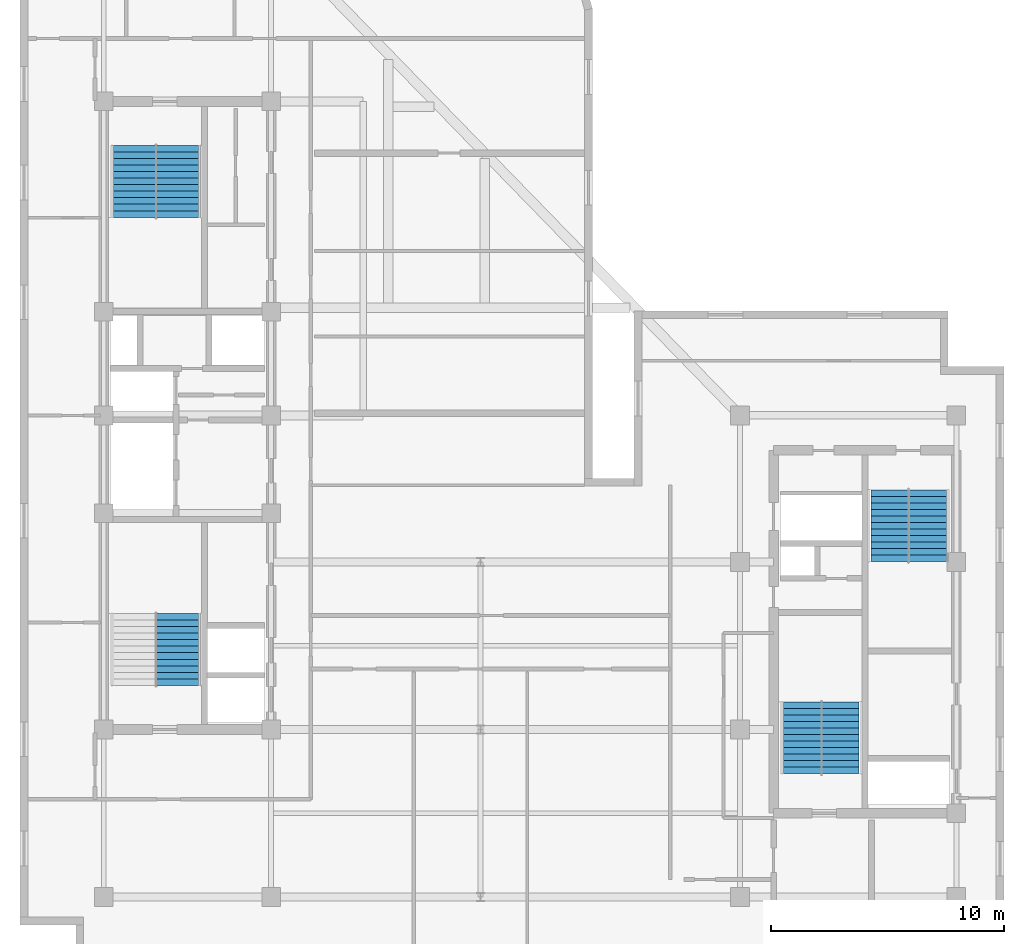
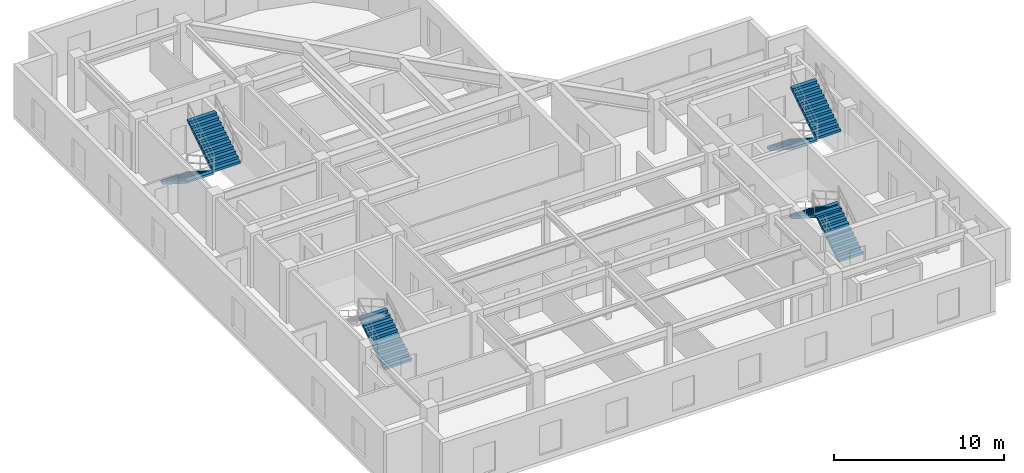
# One storey, part 7 of 10: 7 stair flights, 4 elements without a shape of their own.
"""IFC4 building model written with IfcOpenShell, lengths in metres."""

import ifcopenshell
import ifcopenshell.guid

model = None  # the IFC model being written
_history = None  # IfcOwnerHistory: only IFC2X3 demands one
_inside = {}  # id of a spatial element -> (the spatial element, [elements in it])
_under = {}  # id of a project, library or spatial element -> (it, [spatial elements below it])
_declared = {}  # id of a project -> (the project, [libraries it declares])
_typed = {}  # id of a type object -> (the type object, [elements of that type])
_made_of = {}  # id of a material, layer set ... -> (it, [elements and type objects made of it])


def new_model(schema):
    """Start an empty IFC model of exactly this schema.

    Asked for "IFC4X3", IfcOpenShell would pick the latest addendum, in which some entities
    have other attributes; the version numbers below select the first issue.
    IFC2X3 requires an IfcOwnerHistory on every rooted entity: one is made here for all.
    """
    global model, _history
    if schema == "IFC4X3":
        model = ifcopenshell.file(schema_version=(4, 3, 0, 0))
    else:
        model = ifcopenshell.file(schema=schema)
    _inside.clear()
    _under.clear()
    _declared.clear()
    _typed.clear()
    _made_of.clear()
    _history = None
    if model.schema == "IFC2X3":
        org = make("IfcOrganization", Name="unknown")
        user = make(
            "IfcPersonAndOrganization",
            ThePerson=make("IfcPerson", FamilyName="unknown"),
            TheOrganization=org,
        )
        app = make(
            "IfcApplication",
            ApplicationDeveloper=org,
            Version="unknown",
            ApplicationFullName="unknown",
            ApplicationIdentifier="unknown",
        )
        _history = make(
            "IfcOwnerHistory",
            OwningUser=user,
            OwningApplication=app,
            ChangeAction="ADDED",
            CreationDate=0,
        )
    return model


def make(cls, **values):
    """One entity of the class cls with the attributes given. An attribute that is None is left unset."""
    return model.create_entity(
        cls, **{name: value for name, value in values.items() if value is not None}
    )


def entity(cls, *values):
    """Any entity or typed value of the class cls, its attributes in the order of the schema. None: left unset."""
    e = model.create_entity(cls)
    for i, value in enumerate(values):
        if value is not None:
            e[i] = value
    return e


def rooted(cls, **values):
    """An entity with a GlobalId (a new one), such as an element, a storey or a relation."""
    return make(cls, GlobalId=ifcopenshell.guid.new(), OwnerHistory=_history, **values)


def si_unit(unit_type, name, prefix=None):
    """IfcSIUnit, for example si_unit("LENGTHUNIT", "METRE", prefix="MILLI")."""
    return make("IfcSIUnit", UnitType=unit_type, Prefix=prefix, Name=name)


def converted_unit(unit_type, name, factor, base, dimensions=None, offset=None):
    """IfcConversionBasedUnit, such as the inch: factor (a typed value) times the base unit."""
    return make(
        "IfcConversionBasedUnit"
        if offset is None
        else "IfcConversionBasedUnitWithOffset",
        ConversionOffset=offset,
        Dimensions=None
        if dimensions is None
        else entity("IfcDimensionalExponents", *dimensions),
        UnitType=unit_type,
        Name=name,
        ConversionFactor=make(
            "IfcMeasureWithUnit", ValueComponent=factor, UnitComponent=base
        ),
    )


def assignment(units):
    """IfcUnitAssignment: the units of a project."""
    return None if units is None else make("IfcUnitAssignment", Units=units)


def point(xyz):
    """IfcCartesianPoint."""
    return None if xyz is None else make("IfcCartesianPoint", Coordinates=xyz)


def direction(xyz):
    """IfcDirection."""
    return None if xyz is None else make("IfcDirection", DirectionRatios=xyz)


def frame(location, z_axis=None, x_axis=None):
    """IfcAxis2Placement3D, a coordinate frame: its origin and axes. An axis left out is left unset."""
    return make(
        "IfcAxis2Placement3D",
        Location=point(location),
        Axis=direction(z_axis),
        RefDirection=direction(x_axis),
    )


def origin_with_axes():
    """The frame at (0, 0, 0) with the z axis (0, 0, 1) and the x axis (1, 0, 0) written out."""
    return frame((0.0, 0.0, 0.0), z_axis=(0.0, 0.0, 1.0), x_axis=(1.0, 0.0, 0.0))


def place(relative_to, where):
    """IfcLocalPlacement: puts the frame where relative to a parent placement (None: the world)."""
    return make(
        "IfcLocalPlacement", PlacementRelTo=relative_to, RelativePlacement=where
    )


def context(
    kind, dimensions, precision=None, world=None, true_north=None, identifier=None
):
    """IfcGeometricRepresentationContext, for example the 3D "Model" context."""
    return make(
        "IfcGeometricRepresentationContext",
        ContextIdentifier=identifier,
        ContextType=kind,
        CoordinateSpaceDimension=dimensions,
        Precision=precision,
        WorldCoordinateSystem=world,
        TrueNorth=true_north,
    )


def subcontext(parent, identifier, kind, view, scale=None):
    """IfcGeometricRepresentationSubContext, for example "Body" below "Model"."""
    return make(
        "IfcGeometricRepresentationSubContext",
        ContextIdentifier=identifier,
        ContextType=kind,
        ParentContext=parent,
        TargetScale=scale,
        TargetView=view,
    )


def project(units=None, contexts=None):
    """IfcProject with its units and contexts."""
    return rooted(
        "IfcProject",
        Name="project",
        RepresentationContexts=contexts,
        UnitsInContext=assignment(units),
    )


def spatial(cls, under=None, at=None, **own):
    """A site, building, storey or space (cls), placed at a placement, below another one or the project."""
    s = rooted(cls, ObjectPlacement=at, **own)
    if under is not None:
        _under.setdefault(under.id(), (under, []))[1].append(s)
    return s


def polyline(points):
    """IfcPolyline through the points."""
    return make("IfcPolyline", Points=[point(p) for p in points])


def outline(outer, holes=None, kind="AREA"):
    """IfcArbitraryClosedProfileDef: a profile drawn as a closed curve; with holes, ...WithVoids."""
    if holes is None:
        return make("IfcArbitraryClosedProfileDef", ProfileType=kind, OuterCurve=outer)
    return make(
        "IfcArbitraryProfileDefWithVoids",
        ProfileType=kind,
        OuterCurve=outer,
        InnerCurves=holes,
    )


def extrude(swept, where, along, depth):
    """IfcExtrudedAreaSolid: the profile swept, set in the frame where, extruded along a direction by depth."""
    return make(
        "IfcExtrudedAreaSolid",
        SweptArea=swept,
        Position=where,
        ExtrudedDirection=direction(along),
        Depth=depth,
    )


def shape(context_of_items, identifier, shape_type, items):
    """IfcShapeRepresentation: the items that make up one representation, for example the "Body"."""
    return make(
        "IfcShapeRepresentation",
        ContextOfItems=context_of_items,
        RepresentationIdentifier=identifier,
        RepresentationType=shape_type,
        Items=items,
    )


def material(Name=None, Category=None):
    """IfcMaterial."""
    return make("IfcMaterial", Name=Name, Category=Category)


def made_of(thing, what):
    """Note that an element or type object is made of a material, layer set ...; save() writes the relation."""
    if what is not None:
        _made_of.setdefault(what.id(), (what, []))[1].append(thing)
    return thing


def type_object(cls, material=None, **own):
    """A type object (cls), such as IfcWallType, which elements share."""
    return made_of(rooted(cls, **own), material)


def element(
    cls,
    number,
    at=None,
    inside=None,
    cuts=None,
    type_object=None,
    material=None,
    context=None,
    identifier="Body",
    shape_type=None,
    held_by="IfcProductDefinitionShape",
    body=None,
    shapes=None,
    **own,
):
    """One element of the class cls, such as IfcWall. Its Tag is "e" and its number.

    at: its placement. inside: the storey or other place that contains it. cuts: it is an
    opening in that element (IfcRelVoidsElement). A single representation is given by context,
    identifier, shape_type and body (its items); several are given by shapes. held_by: the class
    of the entity that holds the representations. save() writes the other relations.
    """
    e = rooted(cls, Tag="e%d" % number, ObjectPlacement=at, **own)
    if body is not None:
        shapes = [shape(context, identifier, shape_type, body)]
    if shapes is not None:
        e.Representation = make(held_by, Representations=shapes)
    if inside is not None:
        _inside.setdefault(inside.id(), (inside, []))[1].append(e)
    if cuts is not None:
        rooted(
            "IfcRelVoidsElement", RelatingBuildingElement=cuts, RelatedOpeningElement=e
        )
    if type_object is not None:
        _typed.setdefault(type_object.id(), (type_object, []))[1].append(e)
    return made_of(e, material)


def aggregate(whole, parts):
    """IfcRelAggregates: a whole, such as a stair, and the parts it consists of."""
    return rooted("IfcRelAggregates", RelatingObject=whole, RelatedObjects=parts)


def save(model, path):
    """Write the relations noted so far, then the file.

    IfcRelAggregates (storeys below a building ...), IfcRelContainedInSpatialStructure (elements
    in a storey), IfcRelDefinesByType, IfcRelAssociatesMaterial and IfcRelDeclares: one each for
    every whole, place, type object, material and project.
    """
    for whole, parts in _under.values():
        aggregate(whole, parts)
    for where, things in _inside.values():
        rooted(
            "IfcRelContainedInSpatialStructure",
            RelatedElements=things,
            RelatingStructure=where,
        )
    for kind, things in _typed.values():
        rooted("IfcRelDefinesByType", RelatedObjects=things, RelatingType=kind)
    for what, things in _made_of.values():
        rooted("IfcRelAssociatesMaterial", RelatedObjects=things, RelatingMaterial=what)
    for by, libraries in _declared.values():
        rooted("IfcRelDeclares", RelatingContext=by, RelatedDefinitions=libraries)
    model.write(path)


model = new_model("IFC4")

# Units and contexts
model_context = context("Model", 3, precision=1e-05, world=origin_with_axes(), true_north=direction((0.0, 1.0)))
body_context = subcontext(model_context, "Body", "Model", "MODEL_VIEW")
ifc_project = project(units=[si_unit("LENGTHUNIT", "METRE"), si_unit("AREAUNIT", "SQUARE_METRE"), si_unit("VOLUMEUNIT", "CUBIC_METRE"), converted_unit("PLANEANGLEUNIT", "DEGREE", entity("IfcPlaneAngleMeasure", 0.017453292519943295), si_unit("PLANEANGLEUNIT", "RADIAN"), dimensions=[0, 0, 0, 0, 0, 0, 0]), si_unit("MASSUNIT", "GRAM", prefix="KILO"), si_unit("THERMODYNAMICTEMPERATUREUNIT", "KELVIN")], contexts=[model_context])

# Site, building, storey
site_placement = place(None, origin_with_axes())
site = spatial("IfcSite", under=ifc_project, at=site_placement, CompositionType="ELEMENT")
building_placement = place(site_placement, origin_with_axes())
building = spatial("IfcBuilding", under=site, at=building_placement, Name="Varnlund Millrace Tower", CompositionType="ELEMENT")
storey_placement = place(building_placement, frame((0.0, 0.0, 280.2), z_axis=(0.0, 0.0, 1.0), x_axis=(1.0, 0.0, 0.0)))
storey = spatial("IfcBuildingStorey", under=building, at=storey_placement, Name="L69", CompositionType="ELEMENT", Elevation=280.2)

# Stair, stair flights
ifc_material_1 = material(Name="Concrete C50/60", Category="concrete")
stair_type_1 = type_object("IfcStairType", Name="Type-Stair-Dogleg-165-390", PredefinedType="HALF_TURN_STAIR", material=ifc_material_1)
stair_1_placement = place(storey_placement, origin_with_axes())
stair_1 = element("IfcStair", 1, at=stair_1_placement, inside=storey, type_object=stair_type_1, Name="Type-Stair-Dogleg-165-390", PredefinedType="HALF_TURN_STAIR")
ifc_material_2 = material(Name="Precast concrete C50/60", Category="concrete")
stair_flight_type_1 = type_object("IfcStairFlightType", Name="Type-Dogleg-Run-165-390", PredefinedType="STRAIGHT", material=ifc_material_2)
stair_flight_1_placement = place(storey_placement, frame((42.225, 8.9, 0.0), z_axis=(1.0, 0.0, 0.0), x_axis=(0.0, 1.0, 0.0)))
stair_flight_1 = element("IfcStairFlight", 2, at=stair_flight_1_placement, type_object=stair_flight_type_1, Name="ST-B1 flight 1", NumberOfRisers=11, NumberOfTreads=11, PredefinedType="STRAIGHT", RiserHeight=0.177273, TreadLength=0.28, context=body_context, shape_type="SweptSolid", body=[
    extrude(outline(polyline([(0.0, 0.0), (0.0, 0.177273), (0.28, 0.177273), (0.28, 0.354545), (0.56, 0.354545), (0.56, 0.531818), (0.84, 0.531818), (0.84, 0.709091), (1.12, 0.709091), (1.12, 0.886364), (1.4, 0.886364), (1.4, 1.063636), (1.68, 1.063636), (1.68, 1.240909), (1.96, 1.240909), (1.96, 1.418182), (2.24, 1.418182), (2.24, 1.595454), (2.52, 1.595454), (2.52, 1.772727), (2.8, 1.772727), (2.8, 1.95), (3.08, 1.95), (3.08, 1.8), (0.28, 0.0), (0.0, 0.0)])), origin_with_axes(), (0.0, 0.0, 1.0), 1.65),
])
stair_flight_2_placement = place(storey_placement, frame((42.275, 11.98, 1.95), z_axis=(-1.0, 0.0, 0.0), x_axis=(0.0, -1.0, 0.0)))
stair_flight_2 = element("IfcStairFlight", 3, at=stair_flight_2_placement, type_object=stair_flight_type_1, Name="ST-B1 flight 2", NumberOfRisers=11, NumberOfTreads=11, PredefinedType="STRAIGHT", RiserHeight=0.177273, TreadLength=0.28, context=body_context, shape_type="SweptSolid", body=[
    extrude(outline(polyline([(0.0, 0.0), (0.0, 0.177273), (0.28, 0.177273), (0.28, 0.354545), (0.56, 0.354545), (0.56, 0.531818), (0.84, 0.531818), (0.84, 0.709091), (1.12, 0.709091), (1.12, 0.886364), (1.4, 0.886364), (1.4, 1.063636), (1.68, 1.063636), (1.68, 1.240909), (1.96, 1.240909), (1.96, 1.418182), (2.24, 1.418182), (2.24, 1.595454), (2.52, 1.595454), (2.52, 1.772727), (2.8, 1.772727), (2.8, 1.95), (3.08, 1.95), (3.08, 1.8), (0.28, 0.0), (0.0, 0.0)])), origin_with_axes(), (0.0, 0.0, 1.0), 1.65),
])
aggregate(stair_1, [stair_flight_1, stair_flight_2])

stair_2_placement = place(storey_placement, origin_with_axes())
stair_2 = element("IfcStair", 4, at=stair_2_placement, inside=storey, type_object=stair_type_1, Name="Type-Stair-Dogleg-165-390", PredefinedType="HALF_TURN_STAIR")
stair_flight_3_placement = place(storey_placement, frame((46.025, 21.1, 0.0), z_axis=(-1.0, 0.0, 0.0), x_axis=(0.0, -1.0, 0.0)))
stair_flight_3 = element("IfcStairFlight", 5, at=stair_flight_3_placement, type_object=stair_flight_type_1, Name="ST-B2 flight 1", NumberOfRisers=11, NumberOfTreads=11, PredefinedType="STRAIGHT", RiserHeight=0.177273, TreadLength=0.28, context=body_context, shape_type="SweptSolid", body=[
    extrude(outline(polyline([(0.0, 0.0), (0.0, 0.177273), (0.28, 0.177273), (0.28, 0.354545), (0.56, 0.354545), (0.56, 0.531818), (0.84, 0.531818), (0.84, 0.709091), (1.12, 0.709091), (1.12, 0.886364), (1.4, 0.886364), (1.4, 1.063636), (1.68, 1.063636), (1.68, 1.240909), (1.96, 1.240909), (1.96, 1.418182), (2.24, 1.418182), (2.24, 1.595454), (2.52, 1.595454), (2.52, 1.772727), (2.8, 1.772727), (2.8, 1.95), (3.08, 1.95), (3.08, 1.8), (0.28, 0.0), (0.0, 0.0)])), origin_with_axes(), (0.0, 0.0, 1.0), 1.65),
])
stair_flight_4_placement = place(storey_placement, frame((45.975, 18.02, 1.95), z_axis=(1.0, 0.0, 0.0), x_axis=(0.0, 1.0, 0.0)))
stair_flight_4 = element("IfcStairFlight", 6, at=stair_flight_4_placement, type_object=stair_flight_type_1, Name="ST-B2 flight 2", NumberOfRisers=11, NumberOfTreads=11, PredefinedType="STRAIGHT", RiserHeight=0.177273, TreadLength=0.28, context=body_context, shape_type="SweptSolid", body=[
    extrude(outline(polyline([(0.0, 0.0), (0.0, 0.177273), (0.28, 0.177273), (0.28, 0.354545), (0.56, 0.354545), (0.56, 0.531818), (0.84, 0.531818), (0.84, 0.709091), (1.12, 0.709091), (1.12, 0.886364), (1.4, 0.886364), (1.4, 1.063636), (1.68, 1.063636), (1.68, 1.240909), (1.96, 1.240909), (1.96, 1.418182), (2.24, 1.418182), (2.24, 1.595454), (2.52, 1.595454), (2.52, 1.772727), (2.8, 1.772727), (2.8, 1.95), (3.08, 1.95), (3.08, 1.8), (0.28, 0.0), (0.0, 0.0)])), origin_with_axes(), (0.0, 0.0, 1.0), 1.65),
])
aggregate(stair_2, [stair_flight_3, stair_flight_4])

# Stair, stair flight
stair_type_2 = type_object("IfcStairType", Name="Type-Stair-Dogleg-185-390", PredefinedType="HALF_TURN_STAIR", material=ifc_material_1)
stair_3_placement = place(storey_placement, origin_with_axes())
stair_3 = element("IfcStair", 7, at=stair_3_placement, inside=storey, type_object=stair_type_2, Name="Type-Stair-Dogleg-185-390", PredefinedType="HALF_TURN_STAIR")
stair_flight_type_2 = type_object("IfcStairFlightType", Name="Type-Dogleg-Run-185-390", PredefinedType="STRAIGHT", material=ifc_material_2)
stair_flight_5_placement = place(storey_placement, frame((13.625, 12.7, 0.0), z_axis=(1.0, 0.0, 0.0), x_axis=(0.0, 1.0, 0.0)))
stair_flight_5 = element("IfcStairFlight", 8, at=stair_flight_5_placement, type_object=stair_flight_type_2, Name="ST-A1 flight 1", NumberOfRisers=11, NumberOfTreads=11, PredefinedType="STRAIGHT", RiserHeight=0.177273, TreadLength=0.28, context=body_context, shape_type="SweptSolid", body=[
    extrude(outline(polyline([(0.0, 0.0), (0.0, 0.177273), (0.28, 0.177273), (0.28, 0.354545), (0.56, 0.354545), (0.56, 0.531818), (0.84, 0.531818), (0.84, 0.709091), (1.12, 0.709091), (1.12, 0.886364), (1.4, 0.886364), (1.4, 1.063636), (1.68, 1.063636), (1.68, 1.240909), (1.96, 1.240909), (1.96, 1.418182), (2.24, 1.418182), (2.24, 1.595454), (2.52, 1.595454), (2.52, 1.772727), (2.8, 1.772727), (2.8, 1.95), (3.08, 1.95), (3.08, 1.8), (0.28, 0.0), (0.0, 0.0)])), origin_with_axes(), (0.0, 0.0, 1.0), 1.85),
])
aggregate(stair_3, [stair_flight_5])

# Stair, stair flights
stair_4_placement = place(storey_placement, origin_with_axes())
stair_4 = element("IfcStair", 9, at=stair_4_placement, inside=storey, type_object=stair_type_2, Name="Type-Stair-Dogleg-185-390", PredefinedType="HALF_TURN_STAIR")
stair_flight_6_placement = place(storey_placement, frame((13.675, 35.9, 0.0), z_axis=(-1.0, 0.0, 0.0), x_axis=(0.0, -1.0, 0.0)))
stair_flight_6 = element("IfcStairFlight", 10, at=stair_flight_6_placement, type_object=stair_flight_type_2, Name="ST-A2 flight 1", NumberOfRisers=11, NumberOfTreads=11, PredefinedType="STRAIGHT", RiserHeight=0.177273, TreadLength=0.28, context=body_context, shape_type="SweptSolid", body=[
    extrude(outline(polyline([(0.0, 0.0), (0.0, 0.177273), (0.28, 0.177273), (0.28, 0.354545), (0.56, 0.354545), (0.56, 0.531818), (0.84, 0.531818), (0.84, 0.709091), (1.12, 0.709091), (1.12, 0.886364), (1.4, 0.886364), (1.4, 1.063636), (1.68, 1.063636), (1.68, 1.240909), (1.96, 1.240909), (1.96, 1.418182), (2.24, 1.418182), (2.24, 1.595454), (2.52, 1.595454), (2.52, 1.772727), (2.8, 1.772727), (2.8, 1.95), (3.08, 1.95), (3.08, 1.8), (0.28, 0.0), (0.0, 0.0)])), origin_with_axes(), (0.0, 0.0, 1.0), 1.85),
])
stair_flight_7_placement = place(storey_placement, frame((13.625, 32.82, 1.95), z_axis=(1.0, 0.0, 0.0), x_axis=(0.0, 1.0, 0.0)))
stair_flight_7 = element("IfcStairFlight", 11, at=stair_flight_7_placement, type_object=stair_flight_type_2, Name="ST-A2 flight 2", NumberOfRisers=11, NumberOfTreads=11, PredefinedType="STRAIGHT", RiserHeight=0.177273, TreadLength=0.28, context=body_context, shape_type="SweptSolid", body=[
    extrude(outline(polyline([(0.0, 0.0), (0.0, 0.177273), (0.28, 0.177273), (0.28, 0.354545), (0.56, 0.354545), (0.56, 0.531818), (0.84, 0.531818), (0.84, 0.709091), (1.12, 0.709091), (1.12, 0.886364), (1.4, 0.886364), (1.4, 1.063636), (1.68, 1.063636), (1.68, 1.240909), (1.96, 1.240909), (1.96, 1.418182), (2.24, 1.418182), (2.24, 1.595454), (2.52, 1.595454), (2.52, 1.772727), (2.8, 1.772727), (2.8, 1.95), (3.08, 1.95), (3.08, 1.8), (0.28, 0.0), (0.0, 0.0)])), origin_with_axes(), (0.0, 0.0, 1.0), 1.85),
])
aggregate(stair_4, [stair_flight_6, stair_flight_7])

save(model, "model.ifc")
